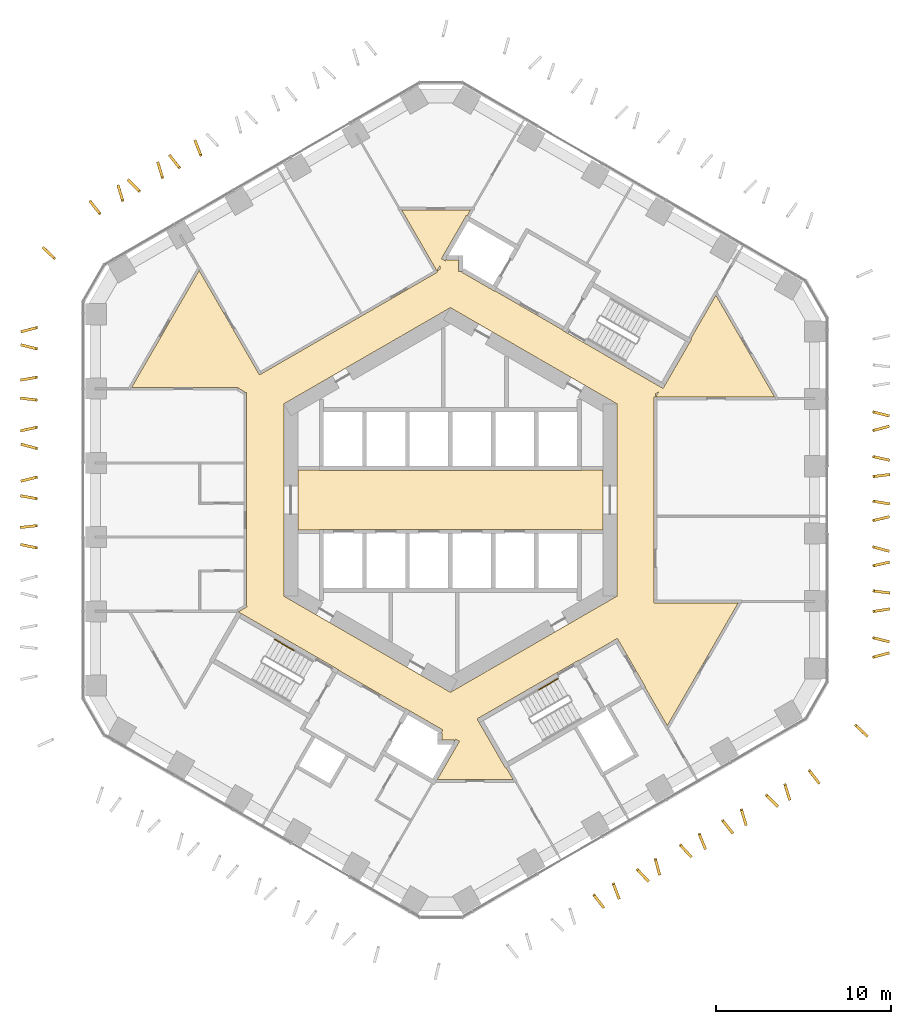
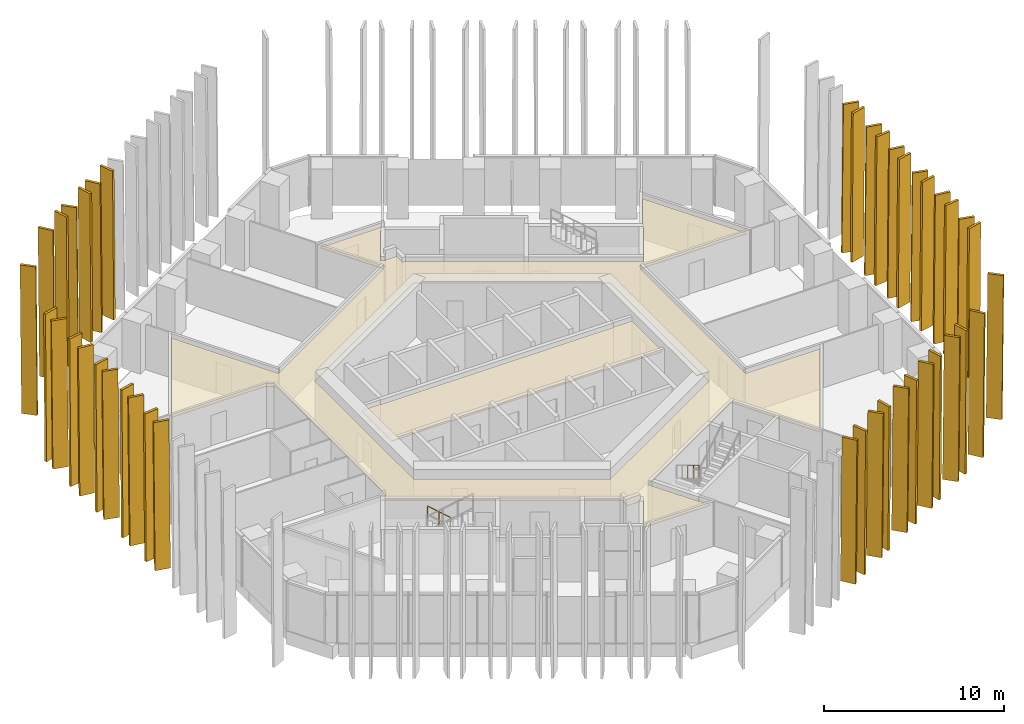
# One storey, part 18 of 19: 41 shading devices, 2 coverings, 2 railings.
"""IFC4 building model written with IfcOpenShell, lengths in metres."""

from ifc_helpers import new_model, si_unit, direction, frame, origin, origin_2d, place, context, subcontext, project, spatial, polyline, circle, outline, extrude, material, layer, layer_set, type_object, element, save


model = new_model("IFC4")

# Units and contexts
model_context = context("Model", 3, precision=1e-05, world=origin(), true_north=direction((0.0, 1.0)))
body_context = subcontext(model_context, "Body", "Model", "MODEL_VIEW")
ifc_project = project(units=[si_unit("LENGTHUNIT", "METRE"), si_unit("AREAUNIT", "SQUARE_METRE"), si_unit("VOLUMEUNIT", "CUBIC_METRE"), si_unit("PLANEANGLEUNIT", "RADIAN"), si_unit("MASSUNIT", "GRAM", prefix="KILO")], contexts=[model_context])

# Site, building, storey
site_placement = place(None, origin())
site = spatial("IfcSite", under=ifc_project, at=site_placement, CompositionType="ELEMENT")
building_placement = place(site_placement, origin())
building = spatial("IfcBuilding", under=site, at=building_placement, Name="Ayvan Gate Tower", CompositionType="ELEMENT")
storey_placement = place(building_placement, frame((0.0, 0.0, 56.10009765625)))
storey = spatial("IfcBuildingStorey", under=building, at=storey_placement, Name="L14", CompositionType="ELEMENT", Elevation=56.10009765625)

# Shading devices
ifc_material_1 = material(Name="Bronze anodised aluminium", Category="aluminium")
ifc_layer_1 = layer(ifc_material_1, 0.14990234375)
ifc_layer_set_1 = layer_set([ifc_layer_1], Name="Bronze anodised aluminium")
shading_device_type = type_object("IfcShadingDeviceType", Name="Bronze fin 900 x 150", PredefinedType="USERDEFINED", material=ifc_layer_set_1)
shading_device_1_placement = place(storey_placement, frame((-14.144775390625, 19.63818359375, 0.0), z_axis=(0.929891673256, 0.36783346235, 0.000141364302), x_axis=(-0.367833466025, 0.929891682548, 0.0)))
element("IfcShadingDevice", 1, at=shading_device_1_placement, inside=storey, type_object=shading_device_type, Name="Bronze fin FG04.1.10", ObjectType="FIN", PredefinedType="USERDEFINED", context=body_context, shape_type="SweptSolid", body=[
    extrude(outline(polyline([(0.0, 0.0), (0.9000124188731935, 6.776263578034403e-21), (0.9880043496837285, 10.079834085092028), (0.08799193081053502, 10.079834085092028), (0.0, 0.0)])), origin(), (0.0, 0.0, -1.0), 0.14990234375),
])
shading_device_2_placement = place(storey_placement, frame((-15.367919921875, 18.957275390625, 0.0), z_axis=(0.787610877925, 0.616172932394, 0.000149527194), x_axis=(-0.616172939279, 0.787610886733, -2.8469e-08)))
element("IfcShadingDevice", 2, at=shading_device_2_placement, inside=storey, type_object=shading_device_type, Name="Bronze fin FG04.1.11", ObjectType="FIN", PredefinedType="USERDEFINED", context=body_context, shape_type="SweptSolid", body=[
    extrude(outline(polyline([(0.0, 0.0), (0.9000368066833788, 1.3552527156068805e-20), (0.9878330760243651, 10.079834125181884), (0.08783812430862621, 10.079834073937016), (0.0, 0.0)])), origin(), (0.0, 0.0, -1.0), 0.14990234375),
])
shading_device_3_placement = place(storey_placement, frame((-16.333251953125, 18.361083984375, 0.0), z_axis=(0.95604253972, 0.293227971468, 0.000137819209), x_axis=(-0.293227974253, 0.9560425488, 5.482e-09)))
element("IfcShadingDevice", 3, at=shading_device_3_placement, inside=storey, type_object=shading_device_type, Name="Bronze fin FG04.1.12", ObjectType="FIN", PredefinedType="USERDEFINED", context=body_context, shape_type="SweptSolid", body=[
    extrude(outline(polyline([(0.0, 0.0), (0.8999202593109712, 0.0), (0.9879259052353901, 10.079834074688277), (0.08777223709902839, 10.079834084555877), (0.0, 0.0)])), origin(), (0.0, 0.0, -1.0), 0.14990234375),
])
shading_device_4_placement = place(storey_placement, frame((-17.650390625, 17.638427734375, 0.0), z_axis=(0.707174598342, 0.707038942367, 0.0001464133), x_axis=(-0.707038949947, 0.70717460592, 1.4044e-08)))
element("IfcShadingDevice", 4, at=shading_device_4_placement, inside=storey, type_object=shading_device_type, Name="Bronze fin FG04.1.13", ObjectType="FIN", PredefinedType="USERDEFINED", context=body_context, shape_type="SweptSolid", body=[
    extrude(outline(polyline([(0.0, 0.0), (0.8997657535617469, 1.3552527156068805e-20), (0.9878088429111077, 10.079834078541746), (0.0878704392990872, 10.079834103817586), (0.0, 0.0)])), origin(), (0.0, 0.0, -1.0), 0.14990234375),
])
shading_device_5_placement = place(storey_placement, frame((-18.606689453125, 17.047607421875, 0.0), z_axis=(0.957515852272, 0.288380606592, 0.000135608548), x_axis=(-0.288380609243, 0.957515861076, -5.304e-09)))
element("IfcShadingDevice", 5, at=shading_device_5_placement, inside=storey, type_object=shading_device_type, Name="Bronze fin FG04.1.14", ObjectType="FIN", PredefinedType="USERDEFINED", context=body_context, shape_type="SweptSolid", body=[
    extrude(outline(polyline([(0.0, 0.0), (0.900043842095838, 0.0), (0.9876668137538803, 10.07983408229599), (0.08785674017881294, 10.079834072749653), (0.0, 0.0)])), origin(), (0.0, 0.0, -1.0), 0.14990234375),
])
shading_device_6_placement = place(storey_placement, frame((-19.902587890625, 16.33935546875, 0.0), z_axis=(0.784691754961, 0.619886140047, 0.000151898421), x_axis=(-0.6198861472, 0.784691764013, 1.2773e-08)))
element("IfcShadingDevice", 6, at=shading_device_6_placement, inside=storey, type_object=shading_device_type, Name="Bronze fin FG04.1.15", ObjectType="FIN", PredefinedType="USERDEFINED", context=body_context, shape_type="SweptSolid", body=[
    extrude(outline(polyline([(0.0, 0.0), (0.8998458075871716, 1.3552527156068805e-20), (0.9878007809996009, 10.079834088044073), (0.08776339827473086, 10.079834111034735), (0.0, 0.0)])), origin(), (0.0, 0.0, -1.0), 0.14990234375),
])
shading_device_7_placement = place(storey_placement, frame((-22.497314453125, 13.801513671875, 0.0), z_axis=(0.690156285701, 0.723660334948, 0.000144675463), x_axis=(-0.723660342523, 0.690156292922, 1.3543e-08)))
element("IfcShadingDevice", 7, at=shading_device_7_placement, inside=storey, type_object=shading_device_type, Name="Bronze fin FG04.2.16", ObjectType="FIN", PredefinedType="USERDEFINED", context=body_context, shape_type="SweptSolid", body=[
    extrude(outline(polyline([(0.0, 0.0), (0.900020362071362, 1.3552527156068805e-20), (0.9877754951352599, 10.079834076488465), (0.08793180795220891, 10.079834100863192), (0.0, 0.0)])), origin(), (0.0, 0.0, -1.0), 0.14990234375),
])
shading_device_8_placement = place(storey_placement, frame((-23.56640625, 9.917236328125, 0.0), z_axis=(-0.256075224575, 0.966656846158, 0.000145380037), x_axis=(-0.966656856373, -0.256075227282, 5.05e-09)))
element("IfcShadingDevice", 8, at=shading_device_8_placement, inside=storey, type_object=shading_device_type, Name="Bronze fin FG04.3.17", ObjectType="FIN", PredefinedType="USERDEFINED", context=body_context, shape_type="SweptSolid", body=[
    extrude(outline(polyline([(0.0, 0.0), (0.8998860824732329, 0.0), (0.9879050057974529, 10.079834085906478), (0.08778292311514459, 10.079834094996592), (0.0, 0.0)])), origin(), (0.0, 0.0, -1.0), 0.14990234375),
])
shading_device_9_placement = place(storey_placement, frame((-23.530517578125, 8.684814453125, 0.0), z_axis=(0.242376051137, 0.970182369213, 0.000142488988), x_axis=(-0.970182379063, 0.242376053596, 1.4068e-08)))
element("IfcShadingDevice", 9, at=shading_device_9_placement, inside=storey, type_object=shading_device_type, Name="Bronze fin FG04.3.18", ObjectType="FIN", PredefinedType="USERDEFINED", context=body_context, shape_type="SweptSolid", body=[
    extrude(outline(polyline([(0.0, 0.0), (0.8998569344210116, 0.0), (0.9878475184720634, 10.07983407280392), (0.0876945492774537, 10.079834098126538), (0.0, 0.0)])), origin(), (0.0, 0.0, -1.0), 0.14990234375),
])
shading_device_10_placement = place(storey_placement, frame((-23.567626953125, 7.0791015625, 0.0), z_axis=(-0.170356557413, 0.9853824758, 0.00014046995), x_axis=(-0.985382485522, -0.170356559093, -3.245e-09)))
element("IfcShadingDevice", 10, at=shading_device_10_placement, inside=storey, type_object=shading_device_type, Name="Bronze fin FG04.3.19", ObjectType="FIN", PredefinedType="USERDEFINED", context=body_context, shape_type="SweptSolid", body=[
    extrude(outline(polyline([(0.0, 0.0), (0.9001168186066192, 0.0), (0.9878252592463436, 10.07983408702745), (0.08794901253560379, 10.07983408118595), (0.0, 0.0)])), origin(), (0.0, 0.0, -1.0), 0.14990234375),
])
shading_device_11_placement = place(storey_placement, frame((-23.54931640625, 5.772216796875, 0.0), z_axis=(0.115566216031, 0.993299765253, 0.000161430878), x_axis=(-0.993299778196, 0.115566217537, 2.53e-09)))
element("IfcShadingDevice", 11, at=shading_device_11_placement, inside=storey, type_object=shading_device_type, Name="Bronze fin FG04.3.20", ObjectType="FIN", PredefinedType="USERDEFINED", context=body_context, shape_type="SweptSolid", body=[
    extrude(outline(polyline([(0.0, 0.0), (0.9000720206114391, 3.3881317890172014e-21), (0.9878762790760954, 10.07983411321538), (0.08804676329331745, 10.079834117769442), (0.0, 0.0)])), origin(), (0.0, 0.0, -1.0), 0.14990234375),
])
shading_device_12_placement = place(storey_placement, frame((-23.5673828125, 4.225341796875, 0.0), z_axis=(-0.208046907627, 0.978118838206, 0.000150244903), x_axis=(-0.978118849246, -0.208046909975, 0.0)))
element("IfcShadingDevice", 12, at=shading_device_12_placement, inside=storey, type_object=shading_device_type, Name="Bronze fin FG04.3.21", ObjectType="FIN", PredefinedType="USERDEFINED", context=body_context, shape_type="SweptSolid", body=[
    extrude(outline(polyline([(0.0, 0.0), (0.9000655640456651, 6.776263578034403e-21), (0.9879980630186241, 10.079834098143726), (0.08793249897295907, 10.079834098143726), (0.0, 0.0)])), origin(), (0.0, 0.0, -1.0), 0.14990234375),
])
shading_device_13_placement = place(storey_placement, frame((-23.528076171875, 3.00244140625, 0.0), z_axis=(0.256235549845, 0.966614361142, 0.00014082071), x_axis=(-0.966614370726, 0.256235552383, 1.8465e-08)))
element("IfcShadingDevice", 13, at=shading_device_13_placement, inside=storey, type_object=shading_device_type, Name="Bronze fin FG04.3.22", ObjectType="FIN", PredefinedType="USERDEFINED", context=body_context, shape_type="SweptSolid", body=[
    extrude(outline(polyline([(0.0, 0.0), (0.8998860752802869, -6.776263578034403e-21), (0.9876892175637362, 10.07983406608155), (0.08774058477554338, 10.079834099314962), (0.0, 0.0)])), origin(), (0.0, 0.0, -1.0), 0.14990234375),
])
shading_device_14_placement = place(storey_placement, frame((-23.56689453125, 1.385498046875, 0.0), z_axis=(-0.242790930655, 0.970078623487, 0.000168065921), x_axis=(-0.970078637187, -0.242790934083, 0.0)))
element("IfcShadingDevice", 14, at=shading_device_14_placement, inside=storey, type_object=shading_device_type, Name="Bronze fin FG04.3.23", ObjectType="FIN", PredefinedType="USERDEFINED", context=body_context, shape_type="SweptSolid", body=[
    extrude(outline(polyline([(0.0, 0.0), (0.8999753644008668, -6.776263578034403e-21), (0.9877291815170258, 10.079834126733275), (0.08775381711615891, 10.079834126733275), (0.0, 0.0)])), origin(), (0.0, 0.0, -1.0), 0.14990234375),
])
shading_device_15_placement = place(storey_placement, frame((-23.541748046875, 0.144775390625, 0.0), z_axis=(0.172794859051, 0.984957822943, 0.000153979019), x_axis=(-0.984957834619, 0.1727948611, 0.0)))
element("IfcShadingDevice", 15, at=shading_device_15_placement, inside=storey, type_object=shading_device_type, Name="Bronze fin FG04.3.24", ObjectType="FIN", PredefinedType="USERDEFINED", context=body_context, shape_type="SweptSolid", body=[
    extrude(outline(polyline([(0.0, 0.0), (0.9000127500054788, -3.3881317890172014e-21), (0.9879818665450251, 10.079834103869105), (0.08796911653954637, 10.079834103869105), (0.0, 0.0)])), origin(), (0.0, 0.0, -1.0), 0.14990234375),
])
shading_device_16_placement = place(storey_placement, frame((-23.566650390625, -1.3837890625, 0.0), z_axis=(-0.112039219069, 0.993703775905, 0.000138357655), x_axis=(-0.993703785416, -0.112039220141, 0.0)))
element("IfcShadingDevice", 16, at=shading_device_16_placement, inside=storey, type_object=shading_device_type, Name="Bronze fin FG04.3.25", ObjectType="FIN", PredefinedType="USERDEFINED", context=body_context, shape_type="SweptSolid", body=[
    extrude(outline(polyline([(0.0, 0.0), (0.8999534091546, -1.6940658945086007e-21), (0.9878210984905419, 10.07983408085333), (0.08786768933594191, 10.07983408085333), (0.0, 0.0)])), origin(), (0.0, 0.0, -1.0), 0.14990234375),
])
shading_device_17_placement = place(storey_placement, frame((-23.53662109375, -2.6669921875, 0.0), z_axis=(0.20536782567, 0.978684849545, 0.000146461516), x_axis=(-0.978684860042, 0.205367827872, 4.079e-09)))
element("IfcShadingDevice", 17, at=shading_device_17_placement, inside=storey, type_object=shading_device_type, Name="Bronze fin FG04.3.26", ObjectType="FIN", PredefinedType="USERDEFINED", context=body_context, shape_type="SweptSolid", body=[
    extrude(outline(polyline([(0.0, 0.0), (0.9000386769360598, 3.3881317890172014e-21), (0.9877928117797024, 10.079834088456458), (0.08799307157705125, 10.079834095798864), (0.0, 0.0)])), origin(), (0.0, 0.0, -1.0), 0.14990234375),
])
shading_device_18_placement = place(storey_placement, frame((8.09619140625, -22.538818359375, 0.0), z_axis=(-0.792830674786, -0.609441954117, 0.000160253523), x_axis=(0.609441961942, -0.792830684967, -3.987e-09)))
element("IfcShadingDevice", 18, at=shading_device_18_placement, inside=storey, type_object=shading_device_type, Name="Bronze fin FG04.7.53", ObjectType="FIN", PredefinedType="USERDEFINED", context=body_context, shape_type="SweptSolid", body=[
    extrude(outline(polyline([(0.0, 0.0), (0.8997699970687363, 0.0), (0.9878321392939996, 9.799804817273934), (0.0877197905048268, 9.799804810097596), (0.0, 0.0)])), origin(), (0.0, 0.0, -1.0), 0.14990234375),
])
shading_device_19_placement = place(storey_placement, frame((9.20654296875, -21.87109375, 0.0), z_axis=(-0.933079689341, -0.359669670949, 0.000145393322), x_axis=(0.359669674751, -0.933079699203, 0.0)))
element("IfcShadingDevice", 19, at=shading_device_19_placement, inside=storey, type_object=shading_device_type, Name="Bronze fin FG04.7.54", ObjectType="FIN", PredefinedType="USERDEFINED", context=body_context, shape_type="SweptSolid", body=[
    extrude(outline(polyline([(0.0, 0.0), (0.9000771860297079, -6.776263578034403e-21), (0.9880176219733459, 9.799804791080106), (0.08794043594363803, 9.799804791080106), (0.0, 0.0)])), origin(), (0.0, 0.0, -1.0), 0.14990234375),
])
shading_device_20_placement = place(storey_placement, frame((10.580322265625, -21.104248046875, 0.0), z_axis=(-0.725310874327, -0.688421465611, 0.000145840151), x_axis=(0.688421472932, -0.725310882041, 0.0)))
element("IfcShadingDevice", 20, at=shading_device_20_placement, inside=storey, type_object=shading_device_type, Name="Bronze fin FG04.7.55", ObjectType="FIN", PredefinedType="USERDEFINED", context=body_context, shape_type="SweptSolid", body=[
    extrude(outline(polyline([(0.0, 0.0), (0.9000720207219932, 0.0), (0.9879350841651644, 9.79980479171774), (0.08786306344317102, 9.79980479171774), (0.0, 0.0)])), origin(), (0.0, 0.0, -1.0), 0.14990234375),
])
shading_device_21_placement = place(storey_placement, frame((11.609130859375, -20.464599609375, 0.0), z_axis=(-0.965835374, -0.259156332451, 0.000160252334), x_axis=(0.259156335775, -0.965835386403, -2.0991e-08)))
element("IfcShadingDevice", 21, at=shading_device_21_placement, inside=storey, type_object=shading_device_type, Name="Bronze fin FG04.7.56", ObjectType="FIN", PredefinedType="USERDEFINED", context=body_context, shape_type="SweptSolid", body=[
    extrude(outline(polyline([(0.0, 0.0), (0.9001059842883741, -6.776263578034403e-21), (0.9880195181536197, 9.799804834072544), (0.08785026327545672, 9.799804796283771), (0.0, 0.0)])), origin(), (0.0, 0.0, -1.0), 0.14990234375),
])
shading_device_22_placement = place(storey_placement, frame((13.022216796875, -19.69482421875, 0.0), z_axis=(-0.733845814309, -0.679316051397, 0.000152103498), x_axis=(0.679316059255, -0.733845822798, 0.0)))
element("IfcShadingDevice", 22, at=shading_device_22_placement, inside=storey, type_object=shading_device_type, Name="Bronze fin FG04.7.57", ObjectType="FIN", PredefinedType="USERDEFINED", context=body_context, shape_type="SweptSolid", body=[
    extrude(outline(polyline([(0.0, 0.0), (0.8999170808211545, 0.0), (0.9877954042298485, 9.799804800861565), (0.08787832340869395, 9.799804800861565), (0.0, 0.0)])), origin(), (0.0, 0.0, -1.0), 0.14990234375),
])
shading_device_23_placement = place(storey_placement, frame((14.107666015625, -19.044677734375, 0.0), z_axis=(-0.925577191965, -0.378558901345, 0.000141160347), x_axis=(0.378558905114, -0.925577201188, -1.7722e-08)))
element("IfcShadingDevice", 23, at=shading_device_23_placement, inside=storey, type_object=shading_device_type, Name="Bronze fin FG04.7.58", ObjectType="FIN", PredefinedType="USERDEFINED", context=body_context, shape_type="SweptSolid", body=[
    extrude(outline(polyline([(0.0, 0.0), (0.8999411823943508, -1.3552527156068805e-20), (0.9878612768143445, 9.799804802643873), (0.08782767281229992, 9.79980477074409), (0.0, 0.0)])), origin(), (0.0, 0.0, -1.0), 0.14990234375),
])
shading_device_24_placement = place(storey_placement, frame((15.443115234375, -18.29736328125, 0.0), z_axis=(-0.780233287788, -0.6254886013, 0.000162084154), x_axis=(0.625488609518, -0.780233298036, 1.3751e-08)))
element("IfcShadingDevice", 24, at=shading_device_24_placement, inside=storey, type_object=shading_device_type, Name="Bronze fin FG04.7.59", ObjectType="FIN", PredefinedType="USERDEFINED", context=body_context, shape_type="SweptSolid", body=[
    extrude(outline(polyline([(0.0, 0.0), (0.8999823483150378, 2.710505431213761e-20), (0.9878699351588621, 9.79980480264242), (0.08769710019879601, 9.799804827396454), (0.0, 0.0)])), origin(), (0.0, 0.0, -1.0), 0.14990234375),
])
shading_device_25_placement = place(storey_placement, frame((16.513916015625, -17.638427734375, 0.0), z_axis=(-0.958302737035, -0.285754863704, 0.000148528369), x_axis=(0.285754866859, -0.958302747605, 1.9303e-08)))
element("IfcShadingDevice", 25, at=shading_device_25_placement, inside=storey, type_object=shading_device_type, Name="Bronze fin FG04.7.60", ObjectType="FIN", PredefinedType="USERDEFINED", context=body_context, shape_type="SweptSolid", body=[
    extrude(outline(polyline([(0.0, 0.0), (0.9001145598037589, 6.776263578034403e-21), (0.9878977978093324, 9.79980477652579), (0.08785300237736517, 9.799804811274234), (0.0, 0.0)])), origin(), (0.0, 0.0, -1.0), 0.14990234375),
])
shading_device_26_placement = place(storey_placement, frame((17.939697265625, -16.8544921875, 0.0), z_axis=(-0.707242377934, -0.70697114404, 0.000142647811), x_axis=(0.70697115123, -0.707242385132, -2.7359e-08)))
element("IfcShadingDevice", 26, at=shading_device_26_placement, inside=storey, type_object=shading_device_type, Name="Bronze fin FG04.7.61", ObjectType="FIN", PredefinedType="USERDEFINED", context=body_context, shape_type="SweptSolid", body=[
    extrude(outline(polyline([(0.0, 0.0), (0.9001110743486531, 0.0), (0.9879809538108497, 9.799804814234955), (0.0878699456814109, 9.799804764983378), (0.0, 0.0)])), origin(), (0.0, 0.0, -1.0), 0.14990234375),
])
shading_device_27_placement = place(storey_placement, frame((18.996826171875, -16.206787109375, 0.0), z_axis=(-0.955373404423, -0.295400805627, 0.000148847677), x_axis=(0.295400808899, -0.955373415007, 0.0)))
element("IfcShadingDevice", 27, at=shading_device_27_placement, inside=storey, type_object=shading_device_type, Name="Bronze fin FG04.7.62", ObjectType="FIN", PredefinedType="USERDEFINED", context=body_context, shape_type="SweptSolid", body=[
    extrude(outline(polyline([(0.0, 0.0), (0.9000284786486996, 0.0), (0.9878757927426998, 9.79980479606043), (0.0878473140940002, 9.79980479606043), (0.0, 0.0)])), origin(), (0.0, 0.0, -1.0), 0.14990234375),
])
shading_device_28_placement = place(storey_placement, frame((20.3837890625, -15.444580078125, 0.0), z_axis=(-0.791189509005, -0.611571040225, 0.000153616772), x_axis=(0.611571047441, -0.79118951834, 0.0)))
element("IfcShadingDevice", 28, at=shading_device_28_placement, inside=storey, type_object=shading_device_type, Name="Bronze fin FG04.7.63", ObjectType="FIN", PredefinedType="USERDEFINED", context=body_context, shape_type="SweptSolid", body=[
    extrude(outline(polyline([(0.0, 0.0), (0.8998021915070792, 0.0), (0.9876751749855743, 9.799804803128449), (0.08787298347849519, 9.799804803128449), (0.0, 0.0)])), origin(), (0.0, 0.0, -1.0), 0.14990234375),
])
shading_device_29_placement = place(storey_placement, frame((23.033447265625, -12.875, 0.0), z_axis=(-0.686049786877, -0.727554578253, 0.000159966003), x_axis=(0.727554587562, -0.686049795654, 0.0)))
element("IfcShadingDevice", 29, at=shading_device_29_placement, inside=storey, type_object=shading_device_type, Name="Bronze fin FG04.8.64", ObjectType="FIN", PredefinedType="USERDEFINED", context=body_context, shape_type="SweptSolid", body=[
    extrude(outline(polyline([(0.0, 0.0), (0.8999807951785506, 0.0), (0.9877624286843774, 9.799804812884204), (0.0877816335058267, 9.799804812884204), (0.0, 0.0)])), origin(), (0.0, 0.0, -1.0), 0.14990234375),
])
shading_device_30_placement = place(storey_placement, frame((24.100341796875, -9.0478515625, 0.0), z_axis=(0.257696415033, -0.966225926681, 0.000127630605), x_axis=(0.96622593455, 0.257696417132, 0.0)))
element("IfcShadingDevice", 30, at=shading_device_30_placement, inside=storey, type_object=shading_device_type, Name="Bronze fin FG04.9.65", ObjectType="FIN", PredefinedType="USERDEFINED", context=body_context, shape_type="SweptSolid", body=[
    extrude(outline(polyline([(0.0, 0.0), (0.9000264587751636, 0.0), (0.988047613113015, 10.07983406647309), (0.0880211543378514, 10.07983406647309), (0.0, 0.0)])), origin(), (0.0, 0.0, -1.0), 0.14990234375),
])
shading_device_31_placement = place(storey_placement, frame((24.0654296875, -7.927001953125, 0.0), z_axis=(-0.236946810665, -0.971522612932, 0.000146553545), x_axis=(0.971522623366, -0.236946813206, 2.4019e-08)))
element("IfcShadingDevice", 31, at=shading_device_31_placement, inside=storey, type_object=shading_device_type, Name="Bronze fin FG04.9.66", ObjectType="FIN", PredefinedType="USERDEFINED", context=body_context, shape_type="SweptSolid", body=[
    extrude(outline(polyline([(0.0, 0.0), (0.9001095226623655, 0.0), (0.987990669515768, 10.079834068891948), (0.08806048665080456, 10.079834112126283), (0.0, 0.0)])), origin(), (0.0, 0.0, -1.0), 0.14990234375),
])
shading_device_32_placement = place(storey_placement, frame((24.101806640625, -6.44140625, 0.0), z_axis=(0.158699344183, -0.987326945565, 0.000143935865), x_axis=(0.987326955792, 0.158699345828, 3.099e-09)))
element("IfcShadingDevice", 32, at=shading_device_32_placement, inside=storey, type_object=shading_device_type, Name="Bronze fin FG04.9.67", ObjectType="FIN", PredefinedType="USERDEFINED", context=body_context, shape_type="SweptSolid", body=[
    extrude(outline(polyline([(0.0, 0.0), (0.8998344505461328, 0.0), (0.9878469642260523, 10.079834085728523), (0.08777146705985317, 10.07983409130606), (0.0, 0.0)])), origin(), (0.0, 0.0, -1.0), 0.14990234375),
])
shading_device_33_placement = place(storey_placement, frame((24.08203125, -5.25634765625, 0.0), z_axis=(-0.12859108342, -0.991697690809, 0.000152672868), x_axis=(0.991697702367, -0.12859108492, -2.663e-09)))
element("IfcShadingDevice", 33, at=shading_device_33_placement, inside=storey, type_object=shading_device_type, Name="Bronze fin FG04.9.68", ObjectType="FIN", PredefinedType="USERDEFINED", context=body_context, shape_type="SweptSolid", body=[
    extrude(outline(polyline([(0.0, 0.0), (0.8998064639652895, -3.3881317890172014e-21), (0.9877389129108274, 10.079834104481177), (0.08769033524867118, 10.079834099687474), (0.0, 0.0)])), origin(), (0.0, 0.0, -1.0), 0.14990234375),
])
shading_device_34_placement = place(storey_placement, frame((24.1015625, -3.8310546875, 0.0), z_axis=(0.216786811669, -0.976218959181, 0.000148400428), x_axis=(0.97621896993, 0.216786814056, 0.0)))
element("IfcShadingDevice", 34, at=shading_device_34_placement, inside=storey, type_object=shading_device_type, Name="Bronze fin FG04.9.69", ObjectType="FIN", PredefinedType="USERDEFINED", context=body_context, shape_type="SweptSolid", body=[
    extrude(outline(polyline([(0.0, 0.0), (0.8998165327732817, -3.3881317890172014e-21), (0.9876795044178743, 10.079834095367518), (0.08786297164459267, 10.079834095367518), (0.0, 0.0)])), origin(), (0.0, 0.0, -1.0), 0.14990234375),
])
shading_device_35_placement = place(storey_placement, frame((24.061767578125, -2.74267578125, 0.0), z_axis=(-0.25794963362, -0.966158354317, 0.000144564761), x_axis=(0.966158364413, -0.257949636316, 0.0)))
element("IfcShadingDevice", 35, at=shading_device_35_placement, inside=storey, type_object=shading_device_type, Name="Bronze fin FG04.9.70", ObjectType="FIN", PredefinedType="USERDEFINED", context=body_context, shape_type="SweptSolid", body=[
    extrude(outline(polyline([(0.0, 0.0), (0.9000894038511281, -6.776263578034403e-21), (0.987889913504325, 10.079834089704077), (0.0878005096531967, 10.079834089704077), (0.0, 0.0)])), origin(), (0.0, 0.0, -1.0), 0.14990234375),
])
shading_device_36_placement = place(storey_placement, frame((24.10107421875, -1.257568359375, 0.0), z_axis=(0.237873948581, -0.971296020374, 0.000159350395), x_axis=(0.971296032706, 0.237873951601, 0.0)))
element("IfcShadingDevice", 36, at=shading_device_36_placement, inside=storey, type_object=shading_device_type, Name="Bronze fin FG04.9.71", ObjectType="FIN", PredefinedType="USERDEFINED", context=body_context, shape_type="SweptSolid", body=[
    extrude(outline(polyline([(0.0, 0.0), (0.9001041378596171, 0.0), (0.9879692313481072, 10.079834112351339), (0.08786509348849018, 10.079834112351339), (0.0, 0.0)])), origin(), (0.0, 0.0, -1.0), 0.14990234375),
])
shading_device_37_placement = place(storey_placement, frame((24.0771484375, -0.140869140625, 0.0), z_axis=(-0.163299176365, -0.986576585446, 0.000141592941), x_axis=(0.986576595336, -0.163299178002, 0.0)))
element("IfcShadingDevice", 37, at=shading_device_37_placement, inside=storey, type_object=shading_device_type, Name="Bronze fin FG04.9.72", ObjectType="FIN", PredefinedType="USERDEFINED", context=body_context, shape_type="SweptSolid", body=[
    extrude(outline(polyline([(0.0, 0.0), (0.9000207964825617, 0.0), (0.9878811784097007, 10.079834085418085), (0.08786038192713898, 10.079834085418085), (0.0, 0.0)])), origin(), (0.0, 0.0, -1.0), 0.14990234375),
])
shading_device_38_placement = place(storey_placement, frame((24.10107421875, 1.258056640625, 0.0), z_axis=(0.121797533369, -0.992554954559, 0.000151811123), x_axis=(0.992554965996, 0.121797534772, 0.0)))
element("IfcShadingDevice", 38, at=shading_device_38_placement, inside=storey, type_object=shading_device_type, Name="Bronze fin FG04.9.73", ObjectType="FIN", PredefinedType="USERDEFINED", context=body_context, shape_type="SweptSolid", body=[
    extrude(outline(polyline([(0.0, 0.0), (0.9000111605693982, -3.3881317890172014e-21), (0.9877649312318016, 10.079834100528043), (0.08775377066240335, 10.079834100528043), (0.0, 0.0)])), origin(), (0.0, 0.0, -1.0), 0.14990234375),
])
shading_device_39_placement = place(storey_placement, frame((24.06982421875, 2.404541015625, 0.0), z_axis=(-0.212159310281, -0.977235083928, 0.000133420824), x_axis=(0.977235092626, -0.212159312169, 0.0)))
element("IfcShadingDevice", 39, at=shading_device_39_placement, inside=storey, type_object=shading_device_type, Name="Bronze fin FG04.9.74", ObjectType="FIN", PredefinedType="USERDEFINED", context=body_context, shape_type="SweptSolid", body=[
    extrude(outline(polyline([(0.0, 0.0), (0.8998802211316977, 0.0), (0.9877775108926883, 10.079834074091151), (0.08789728976099052, 10.079834074091151), (0.0, 0.0)])), origin(), (0.0, 0.0, -1.0), 0.14990234375),
])
shading_device_40_placement = place(storey_placement, frame((24.1005859375, 3.880126953125, 0.0), z_axis=(0.257063133966, -0.966394599669, 0.00015128306), x_axis=(0.966394610728, 0.257063136905, -1.9833e-08)))
element("IfcShadingDevice", 40, at=shading_device_40_placement, inside=storey, type_object=shading_device_type, Name="Bronze fin FG04.9.75", ObjectType="FIN", PredefinedType="USERDEFINED", context=body_context, shape_type="SweptSolid", body=[
    extrude(outline(polyline([(0.0, 0.0), (0.8998379868317818, 0.0), (0.9876849026072934, 10.07983411931024), (0.08778415622060315, 10.079834083615847), (0.0, 0.0)])), origin(), (0.0, 0.0, -1.0), 0.14990234375),
])
shading_device_41_placement = place(storey_placement, frame((24.06494140625, 4.957763671875, 0.0), z_axis=(-0.240907527667, -0.970548063321, 0.000141053971), x_axis=(0.970548072976, -0.240907530064, -4.61e-09)))
element("IfcShadingDevice", 41, at=shading_device_41_placement, inside=storey, type_object=shading_device_type, Name="Bronze fin FG04.9.76", ObjectType="FIN", PredefinedType="USERDEFINED", context=body_context, shape_type="SweptSolid", body=[
    extrude(outline(polyline([(0.0, 0.0), (0.8997989120444075, 3.3881317890172014e-21), (0.9877324308962524, 10.079834089203752), (0.08769656863871593, 10.079834080906526), (0.0, 0.0)])), origin(), (0.0, 0.0, -1.0), 0.14990234375),
])

# Coverings
ifc_material_2 = material(Name="Plasterboard suspended ceiling")
ifc_layer_2 = layer(ifc_material_2, 0.050048828125)
ifc_layer_set_2 = layer_set([ifc_layer_2], Name="Plasterboard suspended ceiling")
covering_type = type_object("IfcCoveringType", Name="CT-SUSP-50", PredefinedType="CEILING", material=ifc_layer_set_2)
covering_1_placement = place(storey_placement, frame((0.0, 0.0, 2.699951171875)))
element("IfcCovering", 42, at=covering_1_placement, inside=storey, type_object=covering_type, Name="Ceiling Lift Lobby L14", PredefinedType="CEILING", context=body_context, shape_type="SweptSolid", body=[
    extrude(outline(polyline([(7.47509765625, -1.675048828125), (-7.47509765625, -1.675048828125), (-7.47509765625, -1.699951171875), (-8.699951171875, -1.699951171875), (-8.699951171875, 1.699951171875), (-7.47509765625, 1.699951171875), (-7.47509765625, 1.675048828125), (7.47509765625, 1.675048828125), (7.47509765625, 1.699951171875), (8.699951171875, 1.699951171875), (8.699951171875, -1.699951171875), (7.47509765625, -1.699951171875), (7.47509765625, -1.675048828125)])), origin(), (0.0, 0.0, 1.0), 0.050048828125),
])
covering_2_placement = place(storey_placement, frame((0.0, 0.0, 2.699951171875)))
element("IfcCovering", 43, at=covering_2_placement, inside=storey, type_object=covering_type, Name="Ceiling Ring Corridor L14", PredefinedType="CEILING", context=body_context, shape_type="SweptSolid", body=[
    extrude(outline(polyline([(-12.1162109375, 6.4208984375), (-18.177490234375, 6.4208984375), (-14.328857421875, 13.0869140625), (-10.892333984375, 7.134765625), (-10.77978515625, 7.19970703125), (-0.732666015625, 13.00048828125), (-0.77001953125, 13.0654296875), (-0.60009765625, 13.16357421875), (-0.60009765625, 13.36083984375), (-0.770263671875, 13.06591796875), (-0.8076171875, 13.13037109375), (-2.783447265625, 16.552490234375), (1.15625, 16.552490234375), (0.962158203125, 16.216552734375), (0.918701171875, 16.241455078125), (-0.511474609375, 13.76416015625), (-0.294921875, 13.63916015625), (-0.215576171875, 13.776611328125), (-0.215576171875, 13.68505859375), (0.47509765625, 13.68505859375), (0.47509765625, 13.03857421875), (0.672119140625, 13.03857421875), (0.645751953125, 12.992919921875), (2.518310546875, 11.91162109375), (2.53076171875, 11.933349609375), (6.384521484375, 9.70849609375), (6.3720703125, 9.686767578125), (6.588623046875, 9.561767578125), (12.131103515625, 6.36181640625), (12.24609375, 6.56103515625), (13.631103515625, 8.959716796875), (13.756103515625, 9.176513671875), (13.712890625, 9.201416015625), (15.142578125, 11.677490234375), (18.497802734375, 5.86572265625), (11.700439453125, 5.86572265625), (11.870849609375, 6.160888671875), (11.699951171875, 6.062255859375), (11.699951171875, 5.86572265625), (11.625, 5.86572265625), (11.625, -5.86572265625), (16.41943359375, -5.86572265625), (12.37109375, -12.87744140625), (11.102294921875, -10.6796875), (11.123779296875, -10.667236328125), (9.623779296875, -8.069091796875), (9.52392578125, -7.89599609375), (7.2939453125, -9.183349609375), (7.281494140625, -9.16162109375), (1.522216796875, -12.48681640625), (1.647216796875, -12.703369140625), (3.147216796875, -15.30126953125), (3.190673828125, -15.2763671875), (3.5810546875, -15.952392578125), (-0.751953125, -15.952392578125), (0.511474609375, -13.76416015625), (0.294921875, -13.63916015625), (0.215576171875, -13.776611328125), (0.215576171875, -13.68505859375), (-0.47509765625, -13.68505859375), (-0.47509765625, -13.28857421875), (-0.52783203125, -13.28857421875), (-0.42919921875, -13.117919921875), (-2.284423828125, -12.046630859375), (-2.518310546875, -11.91162109375), (-2.53076171875, -11.933349609375), (-6.384521484375, -9.70849609375), (-6.3720703125, -9.686767578125), (-11.897216796875, -6.49658203125), (-12.10009765625, -6.379638671875), (-11.597412109375, -6.089599609375), (-11.656494140625, -5.9873046875), (-11.625, -5.9873046875), (-11.625, 6.13720703125), (-11.743408203125, 6.13720703125), (-11.7275390625, 6.164794921875), (-12.0888671875, 6.373291015625), (-12.1162109375, 6.32568359375), (-12.1162109375, 6.4208984375)]), holes=[polyline([(2.808349609375, 9.34814453125), (0.0, 10.9697265625), (-2.808349609375, 9.34814453125), (-9.5, 5.48486328125), (-9.5, -5.48486328125), (-2.808349609375, -9.34814453125), (0.0, -10.9697265625), (2.808349609375, -9.34814453125), (9.5, -5.48486328125), (9.5, 5.48486328125), (2.808349609375, 9.34814453125)])]), origin(), (0.0, 0.0, 1.0), 0.050048828125),
])

# Railings
ifc_material_3 = material(Name="Stainless steel balustrade", Category="steel")
railing_type = type_object("IfcRailingType", Name="RL-HANDRAIL-900", PredefinedType="HANDRAIL", material=ifc_material_3)
railing_1_placement = place(storey_placement, frame((-8.92236328125, -8.583984375, 0.934814453125)))
element("IfcRailing", 44, at=railing_1_placement, inside=storey, type_object=railing_type, Name="L14 STS2 stair handrail 2", PredefinedType="HANDRAIL", context=body_context, shape_type="SweptSolid", body=[
    extrude(circle(Radius=0.02392578125, at=origin_2d()), frame((0.0, 0.0, 0.8759765625), z_axis=(-0.740165700939, 0.427470949681, 0.519060037311), x_axis=(-0.50011940292, -0.865956455501, 0.0)), (0.0, 0.0, 1.0), 1.47412109375),
    extrude(circle(Radius=0.02099609375, at=origin_2d()), origin(), (0.0, 0.0, 1.0), 0.851806640625),
    extrude(circle(Radius=0.02099609375, at=origin_2d()), frame((-0.54541015625, 0.31494140625, 0.382568359375)), (0.0, 0.0, 1.0), 0.851806640625),
    extrude(circle(Radius=0.02099609375, at=origin_2d()), frame((-1.091064453125, 0.630126953125, 0.76513671875)), (0.0, 0.0, 1.0), 0.851806640625),
])
railing_2_placement = place(storey_placement, frame((6.142333984375, -10.18896484375, 0.169921875)))
element("IfcRailing", 45, at=railing_2_placement, inside=storey, type_object=railing_type, Name="L14 STS3 stair handrail 1", PredefinedType="HANDRAIL", context=body_context, shape_type="SweptSolid", body=[
    extrude(circle(Radius=0.02392578125, at=origin_2d()), frame((0.0, 0.0, 0.8759765625), z_axis=(-0.740281741151, -0.427372318678, 0.518975765278), x_axis=(0.499974077718, -0.866040369504, 0.0)), (0.0, 0.0, 1.0), 1.473876953125),
    extrude(circle(Radius=0.02099609375, at=origin_2d()), origin(), (0.0, 0.0, 1.0), 0.851806640625),
    extrude(circle(Radius=0.02099609375, at=origin_2d()), frame((-0.54541015625, -0.31494140625, 0.38232421875)), (0.0, 0.0, 1.0), 0.851806640625),
    extrude(circle(Radius=0.02099609375, at=origin_2d()), frame((-1.091064453125, -0.6298828125, 0.764892578125)), (0.0, 0.0, 1.0), 0.851806640625),
])

save(model, "model.ifc")
